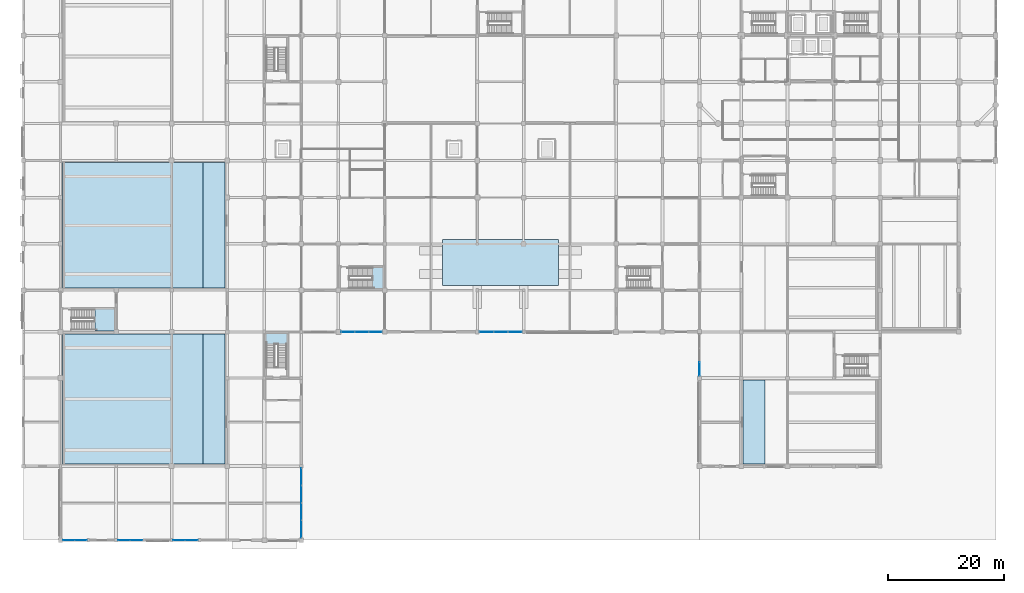
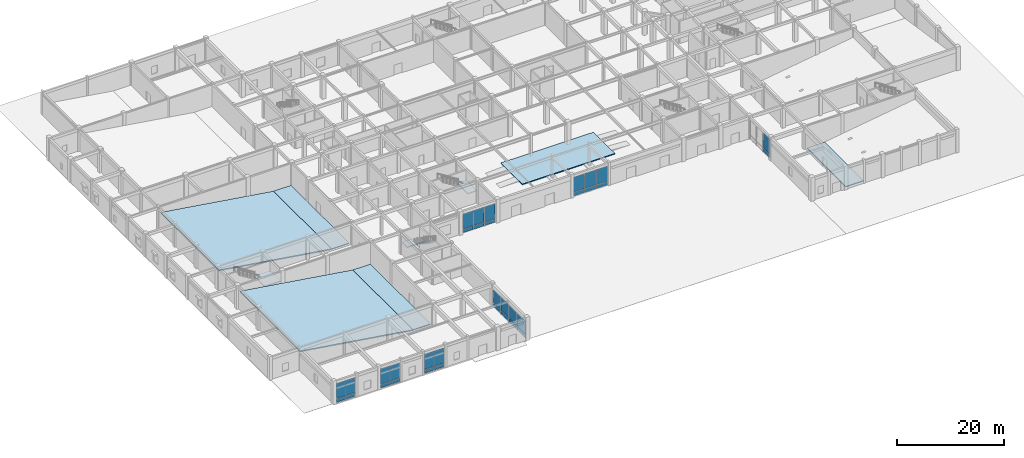
# One storey, part 20 of 40: 34 plates, 9 slabs, 10 elements without a shape of their own.
"""IFC4 building model written with IfcOpenShell, lengths in metres."""

from ifc_helpers import new_model, si_unit, direction, frame, origin, origin_2d, place, context, subcontext, project, spatial, polyline, rectangle, outline, extrude, material, layer, layer_set, type_object, element, aggregate, save


model = new_model("IFC4")

# Units and contexts
model_context = context("Model", 3, precision=1e-05, world=origin(), true_north=direction((0.0, 1.0)))
body_context = subcontext(model_context, "Body", "Model", "MODEL_VIEW")
ifc_project = project(units=[si_unit("LENGTHUNIT", "METRE"), si_unit("AREAUNIT", "SQUARE_METRE"), si_unit("VOLUMEUNIT", "CUBIC_METRE"), si_unit("PLANEANGLEUNIT", "RADIAN"), si_unit("MASSUNIT", "GRAM", prefix="KILO")], contexts=[model_context])

# Site, building, storey
site_placement = place(None, origin())
site = spatial("IfcSite", under=ifc_project, at=site_placement, CompositionType="ELEMENT")
building_placement = place(site_placement, origin())
building = spatial("IfcBuilding", under=site, at=building_placement, Name="Vellmiral Cinema and Media Centre", CompositionType="ELEMENT")
storey_placement = place(building_placement, origin())
storey = spatial("IfcBuildingStorey", under=building, at=storey_placement, Name="L00", CompositionType="ELEMENT", Elevation=0.0)

# Curtain wall, plates
ifc_material_1 = material(Name="Thermally Broken Aluminium and Triple Glazing", Category="aluminium")
curtain_wall_type_1 = type_object("IfcCurtainWallType", Name="CW-POD-GALLERY", PredefinedType="USERDEFINED", material=ifc_material_1)
curtain_wall_1_placement = place(storey_placement, origin())
curtain_wall_1 = element("IfcCurtainWall", 1, at=curtain_wall_1_placement, inside=storey, type_object=curtain_wall_type_1, Name="Curtain Wall L00-B001", ObjectType="STICK CURTAIN WALL", PredefinedType="USERDEFINED")
ifc_material_2 = material(Name="Polychrome Trencadis Ceramic Spandrel Panel", Category="ceramic")
ifc_layer_1 = layer(ifc_material_2, 0.052001953125, Name="Polychrome Trencadis Ceramic Spandrel Panel")
ifc_layer_set_1 = layer_set([ifc_layer_1], Name="Polychrome Trencadis Ceramic Spandrel Panel")
plate_type_1 = type_object("IfcPlateType", Name="CWP-TRENC-52", PredefinedType="CURTAIN_PANEL", material=ifc_layer_set_1)
plate_1_placement = place(storey_placement, frame((7.8486328125, 0.0, 0.070068359375), z_axis=(0.0, 0.0, 1.0), x_axis=(1.0, 0.0, 0.0)))
plate_1 = element("IfcPlate", 2, at=plate_1_placement, type_object=plate_type_1, Name="CW-04 panel 1.1", PredefinedType="CURTAIN_PANEL", context=body_context, shape_type="SweptSolid", body=[
    extrude(rectangle(XDim=2.007568359375, YDim=0.052001953125, at=origin_2d()), origin(), (0.0, 0.0, 1.0), 0.794921875),
])
plate_2_placement = place(storey_placement, frame((9.92626953125, 0.0, 0.070068359375), z_axis=(0.0, 0.0, 1.0), x_axis=(1.0, 0.0, 0.0)))
plate_2 = element("IfcPlate", 3, at=plate_2_placement, type_object=plate_type_1, Name="CW-04 panel 2.1", PredefinedType="CURTAIN_PANEL", context=body_context, shape_type="SweptSolid", body=[
    extrude(rectangle(XDim=2.007568359375, YDim=0.052001953125, at=origin_2d()), origin(), (0.0, 0.0, 1.0), 0.794921875),
])

curtain_wall_2_placement = place(storey_placement, origin())
curtain_wall_2 = element("IfcCurtainWall", 4, at=curtain_wall_2_placement, inside=storey, type_object=curtain_wall_type_1, Name="Curtain Wall L00-B003", ObjectType="STICK CURTAIN WALL", PredefinedType="USERDEFINED")
plate_3_placement = place(storey_placement, frame((17.41748046875, 0.0, 0.070068359375), z_axis=(0.0, 0.0, 1.0), x_axis=(1.0, 0.0, 0.0)))
plate_3 = element("IfcPlate", 5, at=plate_3_placement, type_object=plate_type_1, Name="CW-04 panel 1.1", PredefinedType="CURTAIN_PANEL", context=body_context, shape_type="SweptSolid", body=[
    extrude(rectangle(XDim=2.044921875, YDim=0.052001953125, at=origin_2d()), origin(), (0.0, 0.0, 1.0), 0.794921875),
])
plate_4_placement = place(storey_placement, frame((19.532470703125, 0.0, 0.070068359375), z_axis=(0.0, 0.0, 1.0), x_axis=(1.0, 0.0, 0.0)))
plate_4 = element("IfcPlate", 6, at=plate_4_placement, type_object=plate_type_1, Name="CW-04 panel 2.1", PredefinedType="CURTAIN_PANEL", context=body_context, shape_type="SweptSolid", body=[
    extrude(rectangle(XDim=2.044921875, YDim=0.052001953125, at=origin_2d()), origin(), (0.0, 0.0, 1.0), 0.794921875),
])

curtain_wall_3_placement = place(storey_placement, origin())
curtain_wall_3 = element("IfcCurtainWall", 7, at=curtain_wall_3_placement, inside=storey, type_object=curtain_wall_type_1, Name="Curtain Wall L00-B005", ObjectType="STICK CURTAIN WALL", PredefinedType="USERDEFINED")
plate_5_placement = place(storey_placement, frame((26.905029296875, 0.0, 0.070068359375), z_axis=(0.0, 0.0, 1.0), x_axis=(1.0, 0.0, 0.0)))
plate_5 = element("IfcPlate", 8, at=plate_5_placement, type_object=plate_type_1, Name="CW-04 panel 1.1", PredefinedType="CURTAIN_PANEL", context=body_context, shape_type="SweptSolid", body=[
    extrude(rectangle(XDim=2.070068359375, YDim=0.052001953125, at=origin_2d()), origin(), (0.0, 0.0, 1.0), 0.794921875),
])
plate_6_placement = place(storey_placement, frame((29.044921875, 0.0, 0.070068359375), z_axis=(0.0, 0.0, 1.0), x_axis=(1.0, 0.0, 0.0)))
plate_6 = element("IfcPlate", 9, at=plate_6_placement, type_object=plate_type_1, Name="CW-04 panel 2.1", PredefinedType="CURTAIN_PANEL", context=body_context, shape_type="SweptSolid", body=[
    extrude(rectangle(XDim=2.070068359375, YDim=0.052001953125, at=origin_2d()), origin(), (0.0, 0.0, 1.0), 0.794921875),
])

curtain_wall_4_placement = place(storey_placement, origin())
curtain_wall_4 = element("IfcCurtainWall", 10, at=curtain_wall_4_placement, inside=storey, type_object=curtain_wall_type_1, Name="Curtain Wall L00-B009", ObjectType="STICK CURTAIN WALL", PredefinedType="USERDEFINED")
plate_7_placement = place(storey_placement, frame((48.0, 1.9267578125, 0.070068359375), z_axis=(0.0, 0.0, 1.0), x_axis=(0.0, 1.0, 0.0)))
plate_7 = element("IfcPlate", 11, at=plate_7_placement, type_object=plate_type_1, Name="CW-04 panel 1.1", PredefinedType="CURTAIN_PANEL", context=body_context, shape_type="SweptSolid", body=[
    extrude(rectangle(XDim=2.913818359375, YDim=0.052001953125, at=origin_2d()), origin(), (0.0, 0.0, 1.0), 0.794921875),
])
plate_8_placement = place(storey_placement, frame((48.0, 4.92822265625, 0.070068359375), z_axis=(0.0, 0.0, 1.0), x_axis=(0.0, 1.0, 0.0)))
plate_8 = element("IfcPlate", 12, at=plate_8_placement, type_object=plate_type_1, Name="CW-04 panel 2.1", PredefinedType="CURTAIN_PANEL", context=body_context, shape_type="SweptSolid", body=[
    extrude(rectangle(XDim=2.94873046875, YDim=0.052001953125, at=origin_2d()), origin(), (0.0, 0.0, 1.0), 0.794921875),
])
plate_9_placement = place(storey_placement, frame((48.0, 7.94677734375, 0.070068359375), z_axis=(0.0, 0.0, 1.0), x_axis=(0.0, 1.0, 0.0)))
plate_9 = element("IfcPlate", 13, at=plate_9_placement, type_object=plate_type_1, Name="CW-04 panel 3.1", PredefinedType="CURTAIN_PANEL", context=body_context, shape_type="SweptSolid", body=[
    extrude(rectangle(XDim=2.94873046875, YDim=0.052001953125, at=origin_2d()), origin(), (0.0, 0.0, 1.0), 0.794921875),
])
plate_10_placement = place(storey_placement, frame((48.0, 10.9482421875, 0.070068359375), z_axis=(0.0, 0.0, 1.0), x_axis=(0.0, 1.0, 0.0)))
plate_10 = element("IfcPlate", 14, at=plate_10_placement, type_object=plate_type_1, Name="CW-04 panel 4.1", PredefinedType="CURTAIN_PANEL", context=body_context, shape_type="SweptSolid", body=[
    extrude(rectangle(XDim=2.913818359375, YDim=0.052001953125, at=origin_2d()), origin(), (0.0, 0.0, 1.0), 0.794921875),
])

curtain_wall_5_placement = place(storey_placement, origin())
curtain_wall_5 = element("IfcCurtainWall", 15, at=curtain_wall_5_placement, inside=storey, type_object=curtain_wall_type_1, Name="Curtain Wall L00-B013", ObjectType="STICK CURTAIN WALL", PredefinedType="USERDEFINED")
plate_11_placement = place(storey_placement, frame((56.038330078125, 36.0, 0.070068359375), z_axis=(0.0, 0.0, 1.0), x_axis=(1.0, 0.0, 0.0)))
plate_11 = element("IfcPlate", 16, at=plate_11_placement, type_object=plate_type_1, Name="CW-04 panel 1.1", PredefinedType="CURTAIN_PANEL", context=body_context, shape_type="SweptSolid", body=[
    extrude(rectangle(XDim=2.28662109375, YDim=0.052001953125, at=origin_2d()), origin(), (0.0, 0.0, 1.0), 0.794921875),
])
plate_12_placement = place(storey_placement, frame((58.41259765625, 36.0, 0.070068359375), z_axis=(0.0, 0.0, 1.0), x_axis=(1.0, 0.0, 0.0)))
plate_12 = element("IfcPlate", 17, at=plate_12_placement, type_object=plate_type_1, Name="CW-04 panel 2.1", PredefinedType="CURTAIN_PANEL", context=body_context, shape_type="SweptSolid", body=[
    extrude(rectangle(XDim=2.32177734375, YDim=0.052001953125, at=origin_2d()), origin(), (0.0, 0.0, 1.0), 0.794921875),
])
plate_13_placement = place(storey_placement, frame((60.78662109375, 36.0, 0.070068359375), z_axis=(0.0, 0.0, 1.0), x_axis=(1.0, 0.0, 0.0)))
plate_13 = element("IfcPlate", 18, at=plate_13_placement, type_object=plate_type_1, Name="CW-04 panel 3.1", PredefinedType="CURTAIN_PANEL", context=body_context, shape_type="SweptSolid", body=[
    extrude(rectangle(XDim=2.28662109375, YDim=0.052001953125, at=origin_2d()), origin(), (0.0, 0.0, 1.0), 0.794921875),
])

ifc_material_3 = material(Name="Thermally Broken Aluminium and Triple Glazing", Category="aluminium")
curtain_wall_type_2 = type_object("IfcCurtainWallType", Name="CW-FOYER-PROM", PredefinedType="USERDEFINED", material=ifc_material_3)
curtain_wall_6_placement = place(storey_placement, origin())
curtain_wall_6 = element("IfcCurtainWall", 19, at=curtain_wall_6_placement, inside=storey, type_object=curtain_wall_type_2, Name="Curtain Wall L00-B015", ObjectType="STICK CURTAIN WALL", PredefinedType="USERDEFINED")
plate_14_placement = place(storey_placement, frame((79.99072265625, 36.0, 0.080078125), z_axis=(0.0, 0.0, 1.0), x_axis=(1.0, 0.0, 0.0)))
plate_14 = element("IfcPlate", 20, at=plate_14_placement, type_object=plate_type_1, Name="CW-02 panel 1.1", PredefinedType="CURTAIN_PANEL", context=body_context, shape_type="SweptSolid", body=[
    extrude(rectangle(XDim=2.37158203125, YDim=0.052001953125, at=origin_2d()), origin(), (0.0, 0.0, 1.0), 0.780029296875),
])
plate_15_placement = place(storey_placement, frame((82.46240234375, 36.0, 0.080078125), z_axis=(0.0, 0.0, 1.0), x_axis=(1.0, 0.0, 0.0)))
plate_15 = element("IfcPlate", 21, at=plate_15_placement, type_object=plate_type_1, Name="CW-02 panel 2.1", PredefinedType="CURTAIN_PANEL", context=body_context, shape_type="SweptSolid", body=[
    extrude(rectangle(XDim=2.41162109375, YDim=0.052001953125, at=origin_2d()), origin(), (0.0, 0.0, 1.0), 0.780029296875),
])
plate_16_placement = place(storey_placement, frame((84.93408203125, 36.0, 0.080078125), z_axis=(0.0, 0.0, 1.0), x_axis=(1.0, 0.0, 0.0)))
plate_16 = element("IfcPlate", 22, at=plate_16_placement, type_object=plate_type_1, Name="CW-02 panel 3.1", PredefinedType="CURTAIN_PANEL", context=body_context, shape_type="SweptSolid", body=[
    extrude(rectangle(XDim=2.37158203125, YDim=0.052001953125, at=origin_2d()), origin(), (0.0, 0.0, 1.0), 0.780029296875),
])

# Curtain wall, plate
curtain_wall_7_placement = place(storey_placement, origin())
curtain_wall_7 = element("IfcCurtainWall", 23, at=curtain_wall_7_placement, inside=storey, type_object=curtain_wall_type_1, Name="Curtain Wall L00-B019", ObjectType="STICK CURTAIN WALL", PredefinedType="USERDEFINED")
plate_17_placement = place(storey_placement, frame((116.800048828125, 29.600830078125, 0.070068359375), z_axis=(0.0, 0.0, 1.0), x_axis=(0.0, -1.0, 0.0)))
plate_17 = element("IfcPlate", 24, at=plate_17_placement, type_object=plate_type_1, Name="CW-04 panel 3.1", PredefinedType="CURTAIN_PANEL", context=body_context, shape_type="SweptSolid", body=[
    extrude(rectangle(XDim=2.311767578125, YDim=0.052001953125, at=origin_2d()), origin(), (0.0, 0.0, 1.0), 0.794921875),
])

# Plate
ifc_material_4 = material(Name="Triple Low-E Vision Glazing", Category="glass")
ifc_layer_2 = layer(ifc_material_4, 0.0380859375, Name="Triple Low-E Vision Glazing")
ifc_layer_set_2 = layer_set([ifc_layer_2], Name="Triple Low-E Vision Glazing")
plate_type_2 = type_object("IfcPlateType", Name="CWP-VISION-38", PredefinedType="CURTAIN_PANEL", material=ifc_layer_set_2)
plate_18_placement = place(storey_placement, frame((7.8486328125, 0.0, 0.93505859375), z_axis=(0.0, 0.0, 1.0), x_axis=(1.0, 0.0, 0.0)))
plate_18 = element("IfcPlate", 25, at=plate_18_placement, type_object=plate_type_2, Name="CW-04 panel 1.2", PredefinedType="CURTAIN_PANEL", context=body_context, shape_type="SweptSolid", body=[
    extrude(rectangle(XDim=2.007568359375, YDim=0.0380859375, at=origin_2d()), origin(), (0.0, 0.0, 1.0), 3.47509765625),
])

plate_19_placement = place(storey_placement, frame((9.92626953125, 0.0, 0.93505859375), z_axis=(0.0, 0.0, 1.0), x_axis=(1.0, 0.0, 0.0)))
plate_19 = element("IfcPlate", 26, at=plate_19_placement, type_object=plate_type_2, Name="CW-04 panel 2.2", PredefinedType="CURTAIN_PANEL", context=body_context, shape_type="SweptSolid", body=[
    extrude(rectangle(XDim=2.007568359375, YDim=0.0380859375, at=origin_2d()), origin(), (0.0, 0.0, 1.0), 3.47509765625),
])

aggregate(curtain_wall_1, [plate_1, plate_18, plate_2, plate_19])

plate_20_placement = place(storey_placement, frame((17.41748046875, 0.0, 0.93505859375), z_axis=(0.0, 0.0, 1.0), x_axis=(1.0, 0.0, 0.0)))
plate_20 = element("IfcPlate", 27, at=plate_20_placement, type_object=plate_type_2, Name="CW-04 panel 1.2", PredefinedType="CURTAIN_PANEL", context=body_context, shape_type="SweptSolid", body=[
    extrude(rectangle(XDim=2.044921875, YDim=0.0380859375, at=origin_2d()), origin(), (0.0, 0.0, 1.0), 3.47509765625),
])

plate_21_placement = place(storey_placement, frame((19.532470703125, 0.0, 0.93505859375), z_axis=(0.0, 0.0, 1.0), x_axis=(1.0, 0.0, 0.0)))
plate_21 = element("IfcPlate", 28, at=plate_21_placement, type_object=plate_type_2, Name="CW-04 panel 2.2", PredefinedType="CURTAIN_PANEL", context=body_context, shape_type="SweptSolid", body=[
    extrude(rectangle(XDim=2.044921875, YDim=0.0380859375, at=origin_2d()), origin(), (0.0, 0.0, 1.0), 3.47509765625),
])

aggregate(curtain_wall_2, [plate_3, plate_20, plate_4, plate_21])

plate_22_placement = place(storey_placement, frame((26.905029296875, 0.0, 0.93505859375), z_axis=(0.0, 0.0, 1.0), x_axis=(1.0, 0.0, 0.0)))
plate_22 = element("IfcPlate", 29, at=plate_22_placement, type_object=plate_type_2, Name="CW-04 panel 1.2", PredefinedType="CURTAIN_PANEL", context=body_context, shape_type="SweptSolid", body=[
    extrude(rectangle(XDim=2.070068359375, YDim=0.0380859375, at=origin_2d()), origin(), (0.0, 0.0, 1.0), 3.47509765625),
])

plate_23_placement = place(storey_placement, frame((29.044921875, 0.0, 0.93505859375), z_axis=(0.0, 0.0, 1.0), x_axis=(1.0, 0.0, 0.0)))
plate_23 = element("IfcPlate", 30, at=plate_23_placement, type_object=plate_type_2, Name="CW-04 panel 2.2", PredefinedType="CURTAIN_PANEL", context=body_context, shape_type="SweptSolid", body=[
    extrude(rectangle(XDim=2.070068359375, YDim=0.0380859375, at=origin_2d()), origin(), (0.0, 0.0, 1.0), 3.47509765625),
])

aggregate(curtain_wall_3, [plate_5, plate_22, plate_6, plate_23])

plate_24_placement = place(storey_placement, frame((48.0, 1.9267578125, 0.93505859375), z_axis=(0.0, 0.0, 1.0), x_axis=(0.0, 1.0, 0.0)))
plate_24 = element("IfcPlate", 31, at=plate_24_placement, type_object=plate_type_2, Name="CW-04 panel 1.2", PredefinedType="CURTAIN_PANEL", context=body_context, shape_type="SweptSolid", body=[
    extrude(rectangle(XDim=2.913818359375, YDim=0.0380859375, at=origin_2d()), origin(), (0.0, 0.0, 1.0), 3.010009765625),
])

plate_25_placement = place(storey_placement, frame((48.0, 4.92822265625, 0.93505859375), z_axis=(0.0, 0.0, 1.0), x_axis=(0.0, 1.0, 0.0)))
plate_25 = element("IfcPlate", 32, at=plate_25_placement, type_object=plate_type_2, Name="CW-04 panel 2.2", PredefinedType="CURTAIN_PANEL", context=body_context, shape_type="SweptSolid", body=[
    extrude(rectangle(XDim=2.94873046875, YDim=0.0380859375, at=origin_2d()), origin(), (0.0, 0.0, 1.0), 3.010009765625),
])

plate_26_placement = place(storey_placement, frame((48.0, 7.94677734375, 0.93505859375), z_axis=(0.0, 0.0, 1.0), x_axis=(0.0, 1.0, 0.0)))
plate_26 = element("IfcPlate", 33, at=plate_26_placement, type_object=plate_type_2, Name="CW-04 panel 3.2", PredefinedType="CURTAIN_PANEL", context=body_context, shape_type="SweptSolid", body=[
    extrude(rectangle(XDim=2.94873046875, YDim=0.0380859375, at=origin_2d()), origin(), (0.0, 0.0, 1.0), 3.010009765625),
])

plate_27_placement = place(storey_placement, frame((48.0, 10.9482421875, 0.93505859375), z_axis=(0.0, 0.0, 1.0), x_axis=(0.0, 1.0, 0.0)))
plate_27 = element("IfcPlate", 34, at=plate_27_placement, type_object=plate_type_2, Name="CW-04 panel 4.2", PredefinedType="CURTAIN_PANEL", context=body_context, shape_type="SweptSolid", body=[
    extrude(rectangle(XDim=2.913818359375, YDim=0.0380859375, at=origin_2d()), origin(), (0.0, 0.0, 1.0), 3.010009765625),
])

aggregate(curtain_wall_4, [plate_7, plate_24, plate_8, plate_25, plate_9, plate_26, plate_10, plate_27])

plate_28_placement = place(storey_placement, frame((56.038330078125, 36.0, 0.93505859375), z_axis=(0.0, 0.0, 1.0), x_axis=(1.0, 0.0, 0.0)))
plate_28 = element("IfcPlate", 35, at=plate_28_placement, type_object=plate_type_2, Name="CW-04 panel 1.2", PredefinedType="CURTAIN_PANEL", context=body_context, shape_type="SweptSolid", body=[
    extrude(rectangle(XDim=2.28662109375, YDim=0.0380859375, at=origin_2d()), origin(), (0.0, 0.0, 1.0), 3.4599609375),
])

plate_29_placement = place(storey_placement, frame((58.41259765625, 36.0, 0.93505859375), z_axis=(0.0, 0.0, 1.0), x_axis=(1.0, 0.0, 0.0)))
plate_29 = element("IfcPlate", 36, at=plate_29_placement, type_object=plate_type_2, Name="CW-04 panel 2.2", PredefinedType="CURTAIN_PANEL", context=body_context, shape_type="SweptSolid", body=[
    extrude(rectangle(XDim=2.32177734375, YDim=0.0380859375, at=origin_2d()), origin(), (0.0, 0.0, 1.0), 3.4599609375),
])

plate_30_placement = place(storey_placement, frame((60.78662109375, 36.0, 0.93505859375), z_axis=(0.0, 0.0, 1.0), x_axis=(1.0, 0.0, 0.0)))
plate_30 = element("IfcPlate", 37, at=plate_30_placement, type_object=plate_type_2, Name="CW-04 panel 3.2", PredefinedType="CURTAIN_PANEL", context=body_context, shape_type="SweptSolid", body=[
    extrude(rectangle(XDim=2.28662109375, YDim=0.0380859375, at=origin_2d()), origin(), (0.0, 0.0, 1.0), 3.4599609375),
])

aggregate(curtain_wall_5, [plate_11, plate_28, plate_12, plate_29, plate_13, plate_30])

plate_31_placement = place(storey_placement, frame((79.99072265625, 36.0, 0.93994140625), z_axis=(0.0, 0.0, 1.0), x_axis=(1.0, 0.0, 0.0)))
plate_31 = element("IfcPlate", 38, at=plate_31_placement, type_object=plate_type_2, Name="CW-02 panel 1.2", PredefinedType="CURTAIN_PANEL", context=body_context, shape_type="SweptSolid", body=[
    extrude(rectangle(XDim=2.37158203125, YDim=0.0380859375, at=origin_2d()), origin(), (0.0, 0.0, 1.0), 3.4599609375),
])

plate_32_placement = place(storey_placement, frame((82.46240234375, 36.0, 0.93994140625), z_axis=(0.0, 0.0, 1.0), x_axis=(1.0, 0.0, 0.0)))
plate_32 = element("IfcPlate", 39, at=plate_32_placement, type_object=plate_type_2, Name="CW-02 panel 2.2", PredefinedType="CURTAIN_PANEL", context=body_context, shape_type="SweptSolid", body=[
    extrude(rectangle(XDim=2.41162109375, YDim=0.0380859375, at=origin_2d()), origin(), (0.0, 0.0, 1.0), 3.4599609375),
])

plate_33_placement = place(storey_placement, frame((84.93408203125, 36.0, 0.93994140625), z_axis=(0.0, 0.0, 1.0), x_axis=(1.0, 0.0, 0.0)))
plate_33 = element("IfcPlate", 40, at=plate_33_placement, type_object=plate_type_2, Name="CW-02 panel 3.2", PredefinedType="CURTAIN_PANEL", context=body_context, shape_type="SweptSolid", body=[
    extrude(rectangle(XDim=2.37158203125, YDim=0.0380859375, at=origin_2d()), origin(), (0.0, 0.0, 1.0), 3.4599609375),
])

aggregate(curtain_wall_6, [plate_14, plate_31, plate_15, plate_32, plate_16, plate_33])

plate_34_placement = place(storey_placement, frame((116.800048828125, 29.600830078125, 0.93505859375), z_axis=(0.0, 0.0, 1.0), x_axis=(0.0, -1.0, 0.0)))
plate_34 = element("IfcPlate", 41, at=plate_34_placement, type_object=plate_type_2, Name="CW-04 panel 3.2", PredefinedType="CURTAIN_PANEL", context=body_context, shape_type="SweptSolid", body=[
    extrude(rectangle(XDim=2.311767578125, YDim=0.0380859375, at=origin_2d()), origin(), (0.0, 0.0, 1.0), 3.47509765625),
])

aggregate(curtain_wall_7, [plate_17, plate_34])

# Stair, slab
ifc_material_5 = material(Name="Concrete C40/50", Category="concrete")
stair_type = type_object("IfcStairType", Name="ST-2RET-540", PredefinedType="HALF_TURN_STAIR", material=ifc_material_5)
stair_1_placement = place(storey_placement, origin())
stair_1 = element("IfcStair", 42, at=stair_1_placement, inside=storey, type_object=stair_type, Name="Protected Escape Stair ST-P1 (L00)", PredefinedType="HALF_TURN_STAIR")
ifc_material_6 = material(Name="Concrete C40/50", Category="concrete")
ifc_layer_3 = layer(ifc_material_6, 0.219970703125, Name="Concrete C40/50")
ifc_layer_set_3 = layer_set([ifc_layer_3], Name="Concrete C40/50")
slab_type_1 = type_object("IfcSlabType", Name="SLB-LAND-220", PredefinedType="LANDING", material=ifc_layer_set_3)
slab_1_placement = place(storey_placement, frame((0.0, 0.0, 2.47998046875)))
slab_1 = element("IfcSlab", 43, at=slab_1_placement, type_object=slab_type_1, Name="ST-P1 landing 1", PredefinedType="LANDING", context=body_context, shape_type="SweptSolid", body=[
    extrude(outline(polyline([(41.780029296875, 33.909912109375), (45.6201171875, 33.909912109375), (45.6201171875, 35.820068359375), (41.780029296875, 35.820068359375), (41.780029296875, 33.909912109375)])), origin(), (0.0, 0.0, 1.0), 0.219970703125),
])
aggregate(stair_1, [slab_1])

stair_2_placement = place(storey_placement, origin())
stair_2 = element("IfcStair", 44, at=stair_2_placement, inside=storey, type_object=stair_type, Name="Protected Escape Stair ST-P3 (L00)", PredefinedType="HALF_TURN_STAIR")
slab_2_placement = place(storey_placement, frame((0.0, 0.0, 2.47998046875)))
slab_2 = element("IfcSlab", 45, at=slab_2_placement, type_object=slab_type_1, Name="ST-P3 landing 1", PredefinedType="LANDING", context=body_context, shape_type="SweptSolid", body=[
    extrude(outline(polyline([(60.31005859375, 43.3798828125), (62.219970703125, 43.3798828125), (62.219970703125, 47.219970703125), (60.31005859375, 47.219970703125), (60.31005859375, 43.3798828125)])), origin(), (0.0, 0.0, 1.0), 0.219970703125),
])
aggregate(stair_2, [slab_2])

stair_3_placement = place(storey_placement, origin())
stair_3 = element("IfcStair", 46, at=stair_3_placement, inside=storey, type_object=stair_type, Name="Protected Escape Stair ST-P7 (L00)", PredefinedType="HALF_TURN_STAIR")
slab_3_placement = place(storey_placement, frame((0.0, 0.0, 2.47998046875)))
slab_3 = element("IfcSlab", 47, at=slab_3_placement, type_object=slab_type_1, Name="ST-P7 landing 1", PredefinedType="LANDING", context=body_context, shape_type="SweptSolid", body=[
    extrude(outline(polyline([(12.31005859375, 36.179931640625), (15.820068359375, 36.179931640625), (15.820068359375, 40.02001953125), (12.31005859375, 40.02001953125), (12.31005859375, 36.179931640625)])), origin(), (0.0, 0.0, 1.0), 0.219970703125),
])
aggregate(stair_3, [slab_3])

# Slabs
ifc_material_7 = material(Name="Concrete C40/50", Category="concrete")
ifc_layer_4 = layer(ifc_material_7, 0.199951171875, Name="Concrete C40/50")
ifc_layer_set_4 = layer_set([ifc_layer_4], Name="Concrete C40/50")
slab_type_2 = type_object("IfcSlabType", Name="SLB-PLAT-200", PredefinedType="FLOOR", material=ifc_layer_set_4)
slab_4_placement = place(storey_placement, origin())
element("IfcSlab", 48, at=slab_4_placement, inside=storey, type_object=slab_type_2, Name="Cinema Screen 1 Wheelchair Seating Platform", PredefinedType="FLOOR", context=body_context, shape_type="SweptSolid", body=[
    extrude(outline(polyline([(31.050048828125, 13.14990234375), (34.85009765625, 13.14990234375), (34.85009765625, 35.64990234375), (31.050048828125, 35.64990234375), (31.050048828125, 13.14990234375)])), origin(), (0.0, 0.0, 1.0), 0.199951171875),
])
slab_5_placement = place(storey_placement, origin())
element("IfcSlab", 49, at=slab_5_placement, inside=storey, type_object=slab_type_2, Name="Cinema Screen 2 Wheelchair Seating Platform", PredefinedType="FLOOR", context=body_context, shape_type="SweptSolid", body=[
    extrude(outline(polyline([(31.050048828125, 43.550048828125), (34.85009765625, 43.550048828125), (34.85009765625, 65.25), (31.050048828125, 65.25), (31.050048828125, 43.550048828125)])), origin(), (0.0, 0.0, 1.0), 0.199951171875),
])
slab_6_placement = place(storey_placement, origin())
element("IfcSlab", 50, at=slab_6_placement, inside=storey, type_object=slab_type_2, Name="Cinema Screen 5 Wheelchair Seating Platform", PredefinedType="FLOOR", context=body_context, shape_type="SweptSolid", body=[
    extrude(outline(polyline([(124.35009765625, 13.14990234375), (128.14990234375, 13.14990234375), (128.14990234375, 27.64990234375), (124.35009765625, 27.64990234375), (124.35009765625, 13.14990234375)])), origin(), (0.0, 0.0, 1.0), 0.199951171875),
])
slab_7_placement = place(storey_placement, origin())
element("IfcSlab", 51, at=slab_7_placement, inside=storey, type_object=slab_type_2, Name="Public Foyer Exhibition Dais Slab", PredefinedType="FLOOR", context=body_context, shape_type="SweptSolid", body=[
    extrude(outline(polyline([(72.39990234375, 44.0), (92.39990234375, 44.0), (92.39990234375, 52.0), (72.39990234375, 52.0), (72.39990234375, 44.0)])), origin(), (0.0, 0.0, 1.0), 0.199951171875),
])
ifc_material_8 = material(Name="Concrete C40/50", Category="concrete")
ifc_layer_5 = layer(ifc_material_8, 0.25, Name="Concrete C40/50")
ifc_layer_set_5 = layer_set([ifc_layer_5], Name="Concrete C40/50")
slab_type_3 = type_object("IfcSlabType", Name="SLB-RAKE-250", PredefinedType="FLOOR", material=ifc_layer_set_5)
slab_8_placement = place(storey_placement, frame((6.75, 13.14990234375, 3.875), z_axis=(0.149535819479, 0.0, 0.988756309053), x_axis=(0.988756309053, 0.0, -0.149535819479)))
element("IfcSlab", 52, at=slab_8_placement, inside=storey, type_object=slab_type_3, Name="Cinema Screen 1 Raked Auditorium Floor Slab", PredefinedType="FLOOR", context=body_context, shape_type="SweptSolid", body=[
    extrude(outline(polyline([(0.0, 0.0), (24.576378027251334, 0.0), (24.576378027251334, 22.5), (0.0, 22.5), (0.0, 0.0)])), origin(), (0.0, 0.0, -1.0), 0.25),
])
slab_9_placement = place(storey_placement, frame((6.75, 43.550048828125, 3.875), z_axis=(0.149535819479, 0.0, 0.988756309053), x_axis=(0.988756309053, 0.0, -0.149535819479)))
element("IfcSlab", 53, at=slab_9_placement, inside=storey, type_object=slab_type_3, Name="Cinema Screen 2 Raked Auditorium Floor Slab", PredefinedType="FLOOR", context=body_context, shape_type="SweptSolid", body=[
    extrude(outline(polyline([(0.0, 0.0), (24.576378027251334, 0.0), (24.576378027251334, 21.699951171875004), (0.0, 21.699951171875004), (0.0, 0.0)])), origin(), (0.0, 0.0, -1.0), 0.25),
])

save(model, "model.ifc")
